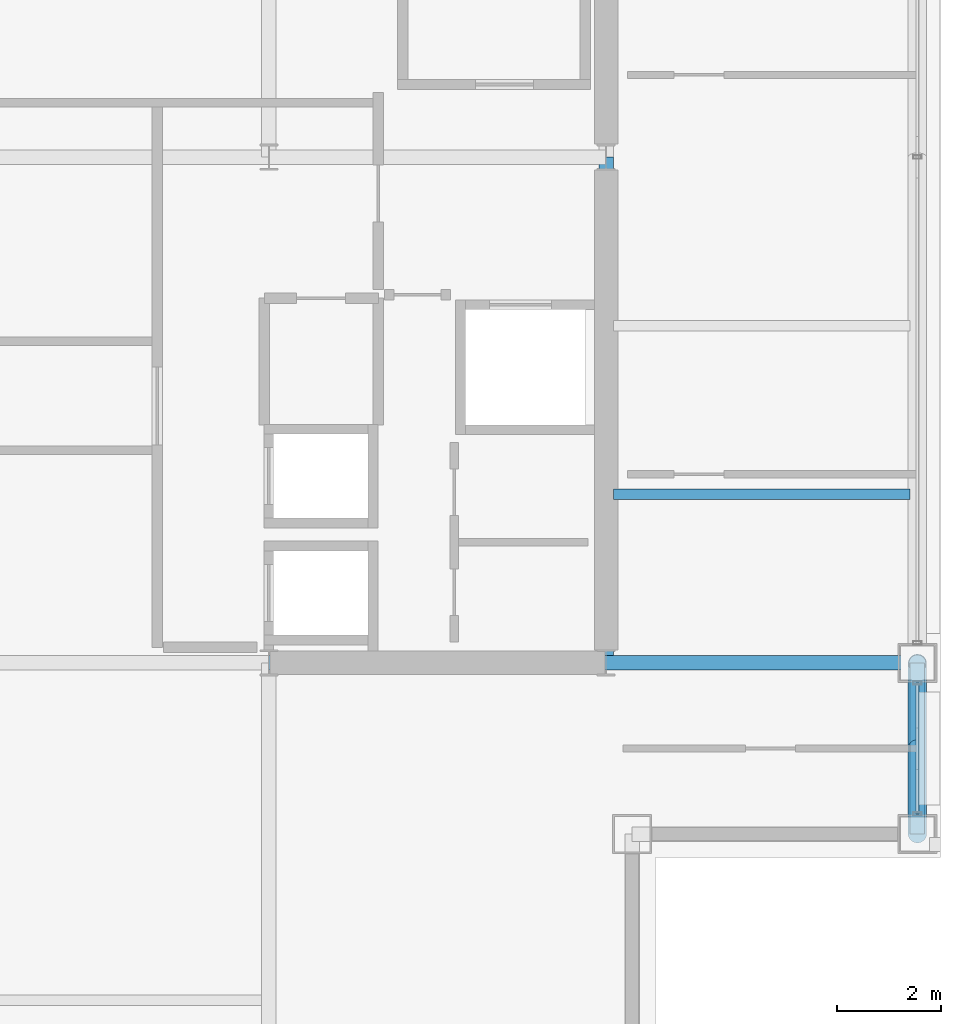
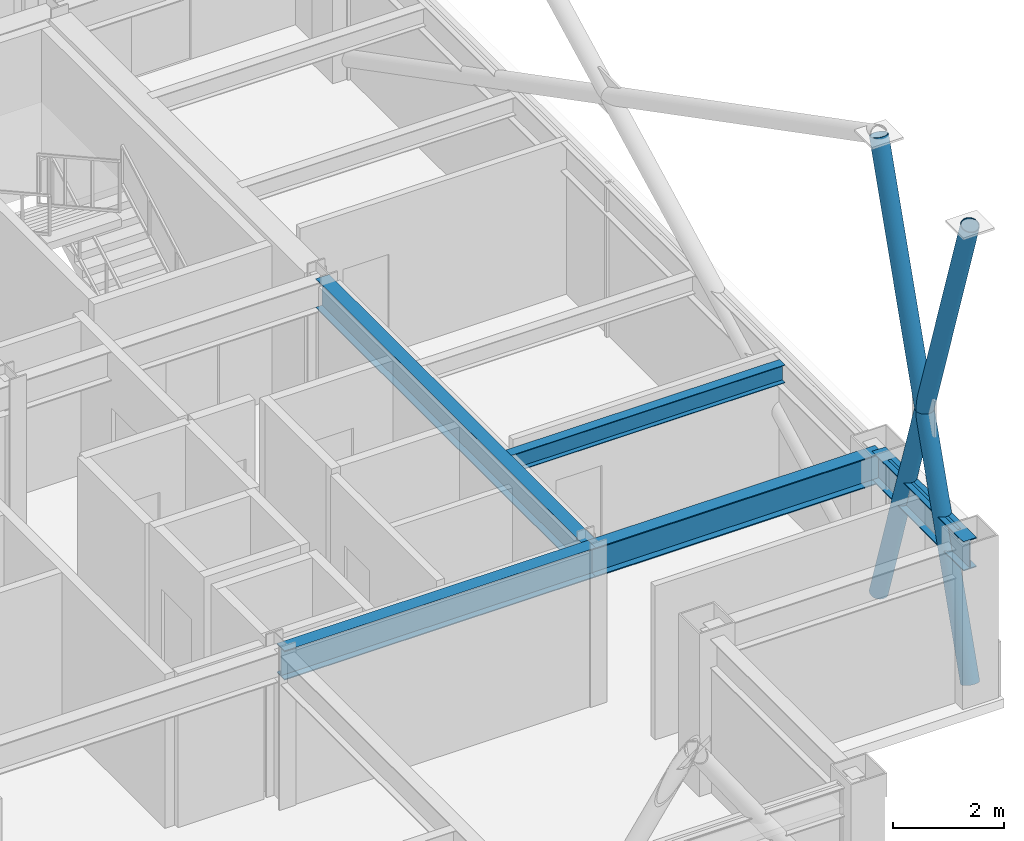
# One storey, part 13 of 30: 5 beams, 4 members, 1 element without a shape of its own.
"""IFC4 building model written with IfcOpenShell, lengths in metres."""

from ifc_helpers import new_model, si_unit, direction, frame, origin, origin_2d, place, context, subcontext, project, spatial, hollow_rectangle, hollow_circle, i_section, extrude, material, layer, layer_set, material_profile, profile_set, type_object, element, aggregate, save


model = new_model("IFC4")

# Units and contexts
model_context = context("Model", 3, precision=1e-05, world=origin(), true_north=direction((0.0, 1.0)))
body_context = subcontext(model_context, "Body", "Model", "MODEL_VIEW")
ifc_project = project(units=[si_unit("LENGTHUNIT", "METRE"), si_unit("AREAUNIT", "SQUARE_METRE"), si_unit("VOLUMEUNIT", "CUBIC_METRE"), si_unit("PLANEANGLEUNIT", "RADIAN"), si_unit("MASSUNIT", "GRAM", prefix="KILO")], contexts=[model_context])

# Site, building, storey
site_placement = place(None, origin())
site = spatial("IfcSite", under=ifc_project, at=site_placement, CompositionType="ELEMENT")
building_placement = place(site_placement, origin())
building = spatial("IfcBuilding", under=site, at=building_placement, Name="Brelmoor Portico Tower", CompositionType="ELEMENT")
storey_placement = place(building_placement, frame((0.0, 0.0, 173.10009765625)))
storey = spatial("IfcBuildingStorey", under=building, at=storey_placement, Name="L45", CompositionType="ELEMENT", Elevation=173.10009765625)

# Beams
ifc_material_1 = material(Name="Steel Q355B", Category="steel")
ifc_material_profile_1 = material_profile(ifc_material_1, i_section(OverallWidth=0.199951171875, OverallDepth=0.39990234375, WebThickness=0.008056640625, FlangeThickness=0.012939453125, at=origin_2d()), Name="HN 400x200x8x13")
ifc_profile_set_1 = profile_set([ifc_material_profile_1], Name="Steel Q355B")
beam_type_1 = type_object("IfcBeamType", Name="BM-JS-400", PredefinedType="JOIST", material=ifc_profile_set_1)
beam_1_placement = place(storey_placement, frame((14.68994140625, -6.5, 3.199951171875), z_axis=(1.0, 0.0, 0.0), x_axis=(0.0, 1.0, 0.0)))
element("IfcBeam", 1, at=beam_1_placement, inside=storey, type_object=beam_type_1, Name="L45 Secondary Wing Joist JS-E09", PredefinedType="JOIST", context=body_context, shape_type="SweptSolid", body=[
    extrude(i_section(OverallWidth=0.199951171875, OverallDepth=0.39990234375, WebThickness=0.008056640625, FlangeThickness=0.012939453125, at=origin_2d()), origin(), (0.0, 0.0, 1.0), 5.719970703125),
])
ifc_material_profile_2 = material_profile(ifc_material_1, i_section(OverallWidth=0.280029296875, OverallDepth=0.64990234375, WebThickness=0.012939453125, FlangeThickness=0.02197265625, at=origin_2d()), Name="HN 650x280x13x22")
ifc_profile_set_2 = profile_set([ifc_material_profile_2], Name="Steel Q355B")
beam_type_2 = type_object("IfcBeamType", Name="BM-PG-650", PredefinedType="BEAM", material=ifc_profile_set_2)
beam_2_placement = place(storey_placement, frame((14.550048828125, -9.75, 3.074951171875), z_axis=(0.0, 1.0, 0.0), x_axis=(-1.0, 0.0, 0.0)))
element("IfcBeam", 2, at=beam_2_placement, inside=storey, type_object=beam_type_2, Name="L45 Primary Floor Girder PG-09", PredefinedType="BEAM", context=body_context, shape_type="SweptSolid", body=[
    extrude(i_section(OverallWidth=0.280029296875, OverallDepth=0.64990234375, WebThickness=0.012939453125, FlangeThickness=0.02197265625, at=origin_2d()), origin(), (0.0, 0.0, 1.0), 9.75),
])
beam_3_placement = place(storey_placement, frame((8.050048828125, -9.75, 3.074951171875), z_axis=(1.0, 0.0, 0.0), x_axis=(0.0, 1.0, 0.0)))
element("IfcBeam", 3, at=beam_3_placement, inside=storey, type_object=beam_type_2, Name="L45 Primary Floor Girder PG-14", PredefinedType="BEAM", context=body_context, shape_type="SweptSolid", body=[
    extrude(i_section(OverallWidth=0.280029296875, OverallDepth=0.64990234375, WebThickness=0.012939453125, FlangeThickness=0.02197265625, at=origin_2d()), origin(), (0.0, 0.0, 1.0), 6.5),
])
beam_4_placement = place(storey_placement, frame((14.550048828125, -9.75, 3.074951171875), z_axis=(1.0, 0.0, 0.0), x_axis=(0.0, 1.0, 0.0)))
element("IfcBeam", 4, at=beam_4_placement, inside=storey, type_object=beam_type_2, Name="L45 Primary Floor Girder PG-15", PredefinedType="BEAM", context=body_context, shape_type="SweptSolid", body=[
    extrude(i_section(OverallWidth=0.280029296875, OverallDepth=0.64990234375, WebThickness=0.012939453125, FlangeThickness=0.02197265625, at=origin_2d()), origin(), (0.0, 0.0, 1.0), 6.0),
])
ifc_material_profile_3 = material_profile(ifc_material_1, i_section(OverallWidth=0.280029296875, OverallDepth=0.64990234375, WebThickness=0.012939453125, FlangeThickness=0.02197265625, at=origin_2d()), Name="HN 650x280x13x22")
ifc_profile_set_3 = profile_set([ifc_material_profile_3], Name="Steel Q355B")
beam_type_3 = type_object("IfcBeamType", Name="BM-SP-650", PredefinedType="SPANDREL", material=ifc_profile_set_3)
beam_5_placement = place(storey_placement, frame((20.550048828125, -13.050048828125, 3.074951171875), z_axis=(0.0, 1.0, 0.0), x_axis=(-1.0, 0.0, 0.0)))
element("IfcBeam", 5, at=beam_5_placement, inside=storey, type_object=beam_type_3, Name="L45 Perimeter Spandrel Beam SP-18", PredefinedType="SPANDREL", context=body_context, shape_type="SweptSolid", body=[
    extrude(i_section(OverallWidth=0.280029296875, OverallDepth=0.64990234375, WebThickness=0.012939453125, FlangeThickness=0.02197265625, at=origin_2d()), origin(), (0.0, 0.0, 1.0), 3.300048828125),
])

# Members
ifc_material_profile_4 = material_profile(ifc_material_1, hollow_circle(Radius=0.177978515625, WallThickness=0.01611328125, at=origin_2d()), Name="CHS 356x16")
ifc_profile_set_4 = profile_set([ifc_material_profile_4], Name="Steel Q355B")
member_type_1 = type_object("IfcMemberType", Name="MB-BELT-DIAG2", PredefinedType="BRACE", material=ifc_profile_set_4)
member_1_placement = place(storey_placement, frame((20.550048828125, -13.050048828125, 0.25), z_axis=(0.0, 0.310583561842, 0.950546080479), x_axis=(-1.0, 0.0, 0.0)))
element("IfcMember", 6, at=member_1_placement, inside=storey, type_object=member_type_1, Name="L45 Continuous Mega-X Brace 102A", PredefinedType="BRACE", context=body_context, shape_type="SweptSolid", body=[
    extrude(hollow_circle(Radius=0.177978515625, WallThickness=0.01611328125, at=origin_2d()), origin(), (0.0, 0.0, 1.0), 10.625244140625),
])
member_2_placement = place(storey_placement, frame((20.550048828125, -9.75, 0.25), z_axis=(0.0, -0.31056958402, 0.95055064751), x_axis=(1.0, 0.0, 0.0)))
element("IfcMember", 7, at=member_2_placement, inside=storey, type_object=member_type_1, Name="L45 Split Mega-X Brace 102B1", PredefinedType="BRACE", context=body_context, shape_type="SweptSolid", body=[
    extrude(hollow_circle(Radius=0.177978515625, WallThickness=0.01611328125, at=origin_2d()), origin(), (0.0, 0.0, 1.0), 5.3125),
])
member_3_placement = place(storey_placement, frame((20.550048828125, -11.39990234375, 5.2998046875), z_axis=(0.0, -0.310597538786, 0.950541513507), x_axis=(1.0, 0.0, 0.0)))
element("IfcMember", 8, at=member_3_placement, inside=storey, type_object=member_type_1, Name="L45 Split Mega-X Brace 102B2", PredefinedType="BRACE", context=body_context, shape_type="SweptSolid", body=[
    extrude(hollow_circle(Radius=0.177978515625, WallThickness=0.01611328125, at=origin_2d()), origin(), (0.0, 0.0, 1.0), 5.312744140625),
])

# Curtain wall, member
ifc_material_2 = material(Name="Anodised Aluminium Alloy 6063-T6", Category="aluminium")
ifc_layer = layer(ifc_material_2, 0.179931640625)
ifc_layer_set = layer_set([ifc_layer], Name="Anodised Aluminium Alloy 6063-T6")
curtain_wall_type = type_object("IfcCurtainWallType", Name="CW-TOWER-Z3-XB", PredefinedType="NOTDEFINED", material=ifc_layer_set)
curtain_wall_placement = place(storey_placement, origin())
curtain_wall = element("IfcCurtainWall", 9, at=curtain_wall_placement, inside=storey, type_object=curtain_wall_type, Name="L45 Curtain Wall CW-L45-04-1", PredefinedType="NOTDEFINED")
ifc_material_profile_5 = material_profile(ifc_material_2, hollow_rectangle(XDim=0.06005859375, YDim=0.125, WallThickness=0.00341796875, at=origin_2d()), Name="ALU TRANSOM 60x125")
ifc_profile_set_5 = profile_set([ifc_material_profile_5], Name="Anodised Aluminium Alloy 6063-T6")
member_type_2 = type_object("IfcMemberType", Name="MB-CW-TRAN-125", PredefinedType="USERDEFINED", material=ifc_profile_set_5)
member_4_placement = place(storey_placement, frame((20.550048828125, -12.6650390625, 3.33740234375), z_axis=(0.0, 1.0, 0.0), x_axis=(-1.0, 0.0, 0.0)))
member_4 = element("IfcMember", 10, at=member_4_placement, type_object=member_type_2, Name="CW-L45-04-1 Transom 1-00", ObjectType="TRANSOM", PredefinedType="USERDEFINED", context=body_context, shape_type="SweptSolid", body=[
    extrude(hollow_rectangle(XDim=0.06005859375, YDim=0.125, WallThickness=0.00341796875, at=origin_2d()), origin(), (0.0, 0.0, 1.0), 2.530029296875),
])
aggregate(curtain_wall, [member_4])

save(model, "model.ifc")
